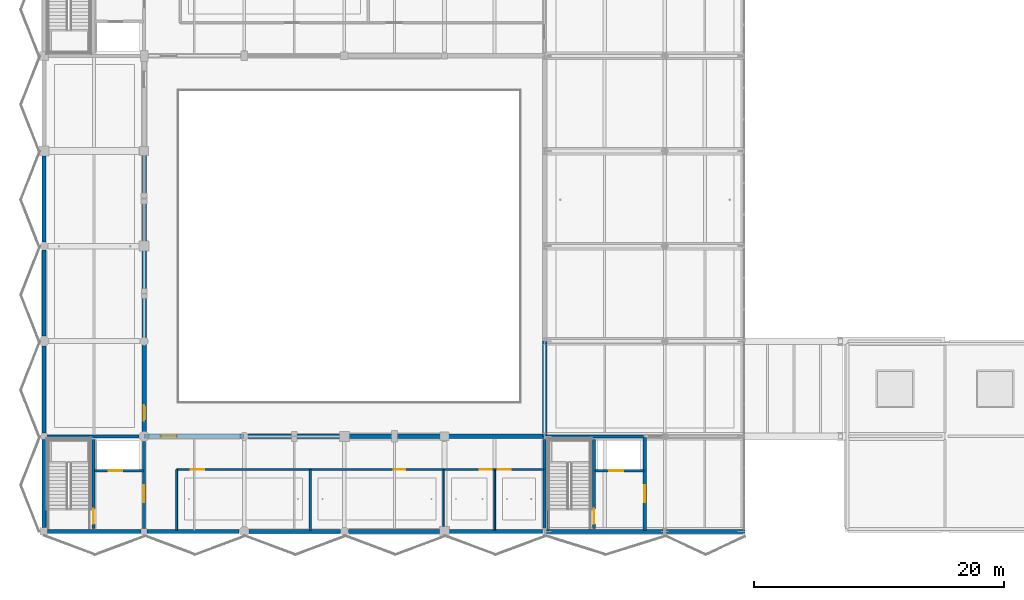
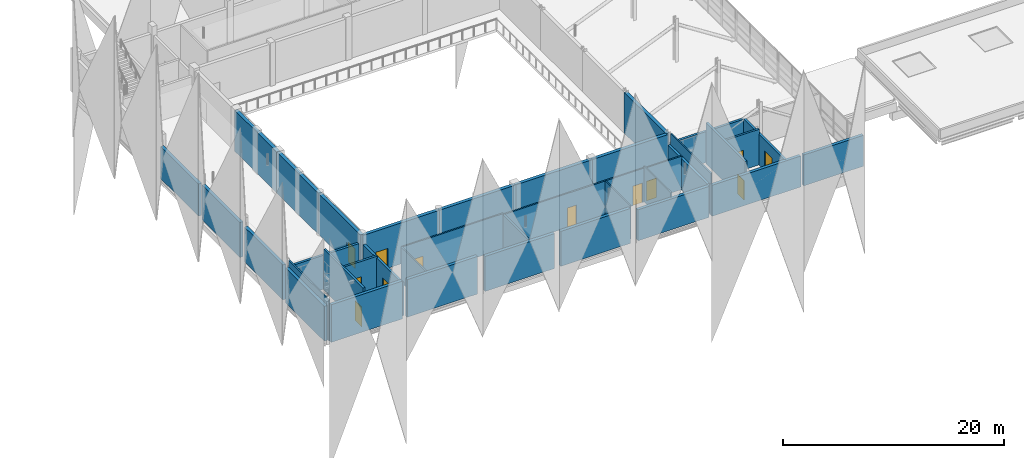
# One storey, part 69 of 107: 38 walls, 12 doors, 12 openings.
"""IFC4 building model written with IfcOpenShell, lengths in metres."""

from ifc_helpers import new_model, si_unit, direction, frame, frame_2d, origin, place, context, subcontext, project, spatial, rectangle, extrude, material, layer, layer_set, type_object, element, fill, save


model = new_model("IFC4")

# Units and contexts
model_context = context("Model", 3, precision=1e-05, world=origin(), true_north=direction((0.0, 1.0)))
body_context = subcontext(model_context, "Body", "Model", "MODEL_VIEW")
ifc_project = project(units=[si_unit("LENGTHUNIT", "METRE"), si_unit("AREAUNIT", "SQUARE_METRE"), si_unit("VOLUMEUNIT", "CUBIC_METRE"), si_unit("PLANEANGLEUNIT", "RADIAN"), si_unit("MASSUNIT", "GRAM", prefix="KILO")], contexts=[model_context])

# Site, building, storey
site_placement = place(None, origin())
site = spatial("IfcSite", under=ifc_project, at=site_placement, CompositionType="ELEMENT")
building_placement = place(site_placement, origin())
building = spatial("IfcBuilding", under=site, at=building_placement, Name="Khelvaren Railside Concert Hall", CompositionType="ELEMENT")
storey_placement = place(building_placement, frame((0.0, 0.0, 15.0)))
storey = spatial("IfcBuildingStorey", under=building, at=storey_placement, Name="L03", CompositionType="ELEMENT", Elevation=15.0)

# Walls
ifc_material_1 = material(Name="Concrete C40/50", Category="concrete")
ifc_layer_1 = layer(ifc_material_1, 0.139892578125)
ifc_layer_set_1 = layer_set([ifc_layer_1], Name="Concrete C40/50")
wall_type_1 = type_object("IfcWallType", Name="CW17", PredefinedType="SOLIDWALL", material=ifc_layer_set_1)
for number, where, z_axis, x_axis, name in (
    (1, (0.27490234375, 0.14990234375, 0.0), (0.0, 0.0, 1.0), (0.0, 1.0, 0.0), "Core Shaft Structural Liner Wall ST-01-L03"),
    (2, (40.27490234375, 0.14990234375, 0.0), (0.0, 0.0, 1.0), (0.0, 1.0, 0.0), "Core Shaft Structural Liner Wall ST-02-L03"),
):
    element("IfcWall", number, at=place(storey_placement, frame(where, z_axis=z_axis, x_axis=x_axis)), inside=storey, type_object=wall_type_1, Name=name, PredefinedType="SOLIDWALL", context=body_context, shape_type="SweptSolid", body=[
        extrude(rectangle(XDim=7.300048828125, YDim=0.139892578125, at=frame_2d((3.64990234375, 0.0))), origin(), (0.0, 0.0, 1.0), 4.530029296875),
    ])
ifc_layer_2 = layer(ifc_material_1, 0.25)
ifc_layer_set_2 = layer_set([ifc_layer_2], Name="Concrete C40/50")
wall_type_2 = type_object("IfcWallType", Name="CW82", PredefinedType="SOLIDWALL", material=ifc_layer_set_2)
wall_1_placement = place(storey_placement, frame((0.25, 7.60009765625, 0.0), z_axis=(0.0, 0.0, 1.0), x_axis=(1.0, 0.0, 0.0)))
element("IfcWall", 3, at=wall_1_placement, inside=storey, type_object=wall_type_2, Name="Core Enclosure Wall CWALL-ST-01-L03-N", PredefinedType="SOLIDWALL", context=body_context, shape_type="SweptSolid", body=[
    extrude(rectangle(XDim=7.35009765625, YDim=0.25, at=frame_2d((3.675048828125, 0.0))), origin(), (0.0, 0.0, 1.0), 3.7548828125),
])

# Wall, opening, door
wall_2_placement = place(storey_placement, frame((8.0, 0.25, 0.0), z_axis=(0.0, 0.0, 1.0), x_axis=(0.0, 1.0, 0.0)))
wall_2 = element("IfcWall", 4, at=wall_2_placement, inside=storey, type_object=wall_type_2, Name="Core Enclosure Wall CWALL-ST-01-L03-E", PredefinedType="SOLIDWALL", context=body_context, shape_type="SweptSolid", body=[
    extrude(rectangle(XDim=6.949951171875, YDim=0.25, at=frame_2d((3.47509765625, 0.0))), origin(), (0.0, 0.0, 1.0), 3.705078125),
])
opening_1_placement = place(wall_2_placement, frame((2.10009765625, 0.0, 0.0)))
opening_1 = element("IfcOpeningElement", 5, at=opening_1_placement, cuts=wall_2, Name="Opening FDR34", PredefinedType="OPENING", context=body_context, shape_type="SweptSolid", body=[
    extrude(rectangle(XDim=1.35009765625, YDim=2.199951171875, at=frame_2d((0.675048828125, 1.10009765625))), frame((0.0, 0.135009765625, 0.0), z_axis=(0.0, -1.0, 0.0), x_axis=(1.0, 0.0, 0.0)), (0.0, 0.0, 1.0), 0.27001953125),
])
ifc_material_2 = material(Name="Acoustic fire-rated timber-core steel frame door", Category="steel")
door_type_1 = type_object("IfcDoorType", Name="FDR34", OperationType="NOTDEFINED", PredefinedType="DOOR", material=ifc_material_2)
door_1_placement = place(opening_1_placement, origin())
door_1 = element("IfcDoor", 6, at=door_1_placement, inside=storey, type_object=door_type_1, Name="Interior Door DR-ST-01-L03-LOB", OperationType="SINGLE_SWING_LEFT", OverallHeight=2.199951171875, OverallWidth=1.35009765625, PredefinedType="DOOR", context=body_context, shape_type="SweptSolid", body=[
    extrude(rectangle(XDim=1.35009765625, YDim=2.199951171875, at=frame_2d((0.675048828125, 1.10009765625))), frame((0.0, 0.02490234375, 0.0), z_axis=(0.0, -1.0, 0.0), x_axis=(1.0, 0.0, 0.0)), (0.0, 0.0, 1.0), 0.050048828125),
])
fill(opening_1, door_1)

# Walls
wall_3_placement = place(storey_placement, frame((40.0, 0.25, 0.0), z_axis=(0.0, 0.0, 1.0), x_axis=(0.0, 1.0, 0.0)))
element("IfcWall", 7, at=wall_3_placement, inside=storey, type_object=wall_type_2, Name="Core Enclosure Wall CWALL-ST-02-L03-W", PredefinedType="SOLIDWALL", context=body_context, shape_type="SweptSolid", body=[
    extrude(rectangle(XDim=7.10009765625, YDim=0.25, at=frame_2d((3.550048828125, 0.0))), origin(), (0.0, 0.0, 1.0), 3.419921875),
])
wall_4_placement = place(storey_placement, frame((40.14990234375, 7.60009765625, 0.0), z_axis=(0.0, 0.0, 1.0), x_axis=(1.0, 0.0, 0.0)))
element("IfcWall", 8, at=wall_4_placement, inside=storey, type_object=wall_type_2, Name="Core Enclosure Wall CWALL-ST-02-L03-N", PredefinedType="SOLIDWALL", context=body_context, shape_type="SweptSolid", body=[
    extrude(rectangle(XDim=7.77001953125, YDim=0.25, at=frame_2d((3.885009765625, 0.0))), origin(), (0.0, 0.0, 1.0), 3.419921875),
])

# Wall, opening, door
wall_5_placement = place(storey_placement, frame((48.0, 0.080078125, 0.0), z_axis=(0.0, 0.0, 1.0), x_axis=(0.0, 1.0, 0.0)))
wall_5 = element("IfcWall", 9, at=wall_5_placement, inside=storey, type_object=wall_type_2, Name="Core Enclosure Wall CWALL-ST-02-L03-E", PredefinedType="SOLIDWALL", context=body_context, shape_type="SweptSolid", body=[
    extrude(rectangle(XDim=7.43994140625, YDim=0.25, at=frame_2d((3.719970703125, 0.0))), origin(), (0.0, 0.0, 1.0), 3.419921875),
])
opening_2_placement = place(wall_5_placement, frame((2.27001953125, 0.0, 0.0)))
opening_2 = element("IfcOpeningElement", 10, at=opening_2_placement, cuts=wall_5, Name="Opening FDR34", PredefinedType="OPENING", context=body_context, shape_type="SweptSolid", body=[
    extrude(rectangle(XDim=1.35009765625, YDim=2.199951171875, at=frame_2d((0.675048828125, 1.10009765625))), frame((0.0, 0.135009765625, 0.0), z_axis=(0.0, -1.0, 0.0), x_axis=(1.0, 0.0, 0.0)), (0.0, 0.0, 1.0), 0.27001953125),
])
door_2_placement = place(opening_2_placement, origin())
door_2 = element("IfcDoor", 11, at=door_2_placement, inside=storey, type_object=door_type_1, Name="Interior Door DR-ST-02-L03-LOB", OperationType="SINGLE_SWING_LEFT", OverallHeight=2.199951171875, OverallWidth=1.35009765625, PredefinedType="DOOR", context=body_context, shape_type="SweptSolid", body=[
    extrude(rectangle(XDim=1.35009765625, YDim=2.199951171875, at=frame_2d((0.675048828125, 1.10009765625))), frame((0.0, 0.02490234375, 0.0), z_axis=(0.0, -1.0, 0.0), x_axis=(1.0, 0.0, 0.0)), (0.0, 0.0, 1.0), 0.050048828125),
])
fill(opening_2, door_2)

ifc_layer_3 = layer(ifc_material_1, 0.219970703125)
ifc_layer_set_3 = layer_set([ifc_layer_3], Name="Concrete C40/50")
wall_type_3 = type_object("IfcWallType", Name="CW97", PredefinedType="SOLIDWALL", material=ifc_layer_set_3)
wall_6_placement = place(storey_placement, frame((3.949951171875, 0.25, 0.0), z_axis=(0.0, 0.0, 1.0), x_axis=(0.0, 1.0, 0.0)))
wall_6 = element("IfcWall", 12, at=wall_6_placement, inside=storey, type_object=wall_type_3, Name="Core Enclosure Wall CWALL-ST-01-L03-MID", PredefinedType="SOLIDWALL", context=body_context, shape_type="SweptSolid", body=[
    extrude(rectangle(XDim=7.10009765625, YDim=0.219970703125, at=frame_2d((3.550048828125, 0.0))), origin(), (0.0, 0.0, 1.0), 4.530029296875),
])
opening_3_placement = place(wall_6_placement, frame((0.35009765625, 0.0, 0.0)))
opening_3 = element("IfcOpeningElement", 13, at=opening_3_placement, cuts=wall_6, Name="Opening FDR17", PredefinedType="OPENING", context=body_context, shape_type="SweptSolid", body=[
    extrude(rectangle(XDim=1.199951171875, YDim=2.14990234375, at=frame_2d((0.60009765625, 1.074951171875))), frame((0.0, 0.119873046875, 0.0), z_axis=(0.0, -1.0, 0.0), x_axis=(1.0, 0.0, 0.0)), (0.0, 0.0, 1.0), 0.239990234375),
])
door_type_2 = type_object("IfcDoorType", Name="FDR17", OperationType="NOTDEFINED", PredefinedType="DOOR", material=ifc_material_2)
door_3_placement = place(opening_3_placement, origin())
door_3 = element("IfcDoor", 14, at=door_3_placement, inside=storey, type_object=door_type_2, Name="Interior Door DR-ST-01-L03-ST", OperationType="SINGLE_SWING_RIGHT", OverallHeight=2.14990234375, OverallWidth=1.199951171875, PredefinedType="DOOR", context=body_context, shape_type="SweptSolid", body=[
    extrude(rectangle(XDim=1.199951171875, YDim=2.14990234375, at=frame_2d((0.60009765625, 1.074951171875))), frame((0.0, 0.02490234375, 0.0), z_axis=(0.0, -1.0, 0.0), x_axis=(1.0, 0.0, 0.0)), (0.0, 0.0, 1.0), 0.050048828125),
])
fill(opening_3, door_3)

wall_7_placement = place(storey_placement, frame((4.02001953125, 4.85009765625, 0.0), z_axis=(0.0, 0.0, 1.0), x_axis=(1.0, 0.0, 0.0)))
wall_7 = element("IfcWall", 15, at=wall_7_placement, inside=storey, type_object=wall_type_3, Name="Core Enclosure Wall CWALL-ST-01-L03-SHF", PredefinedType="SOLIDWALL", context=body_context, shape_type="SweptSolid", body=[
    extrude(rectangle(XDim=3.929931640625, YDim=0.219970703125, at=frame_2d((1.96484375, 0.0))), origin(), (0.0, 0.0, 1.0), 3.905029296875),
])
opening_4_placement = place(wall_7_placement, frame((1.14990234375, 0.0, 0.0)))
opening_4 = element("IfcOpeningElement", 16, at=opening_4_placement, cuts=wall_7, Name="Opening LD-PL-06", PredefinedType="OPENING", context=body_context, shape_type="SweptSolid", body=[
    extrude(rectangle(XDim=1.10009765625, YDim=2.199951171875, at=frame_2d((0.550048828125, 1.10009765625))), frame((0.0, 0.119873046875, 0.0), z_axis=(0.0, -1.0, 0.0), x_axis=(1.0, 0.0, 0.0)), (0.0, 0.0, 1.0), 0.239990234375),
])
ifc_material_3 = material(Name="Fire-rated brushed stainless steel landing door", Category="steel")
door_type_3 = type_object("IfcDoorType", Name="LD96", OperationType="DOUBLE_DOOR_SLIDING", PredefinedType="DOOR", material=ifc_material_3)
door_4_placement = place(opening_4_placement, origin())
door_4 = element("IfcDoor", 17, at=door_4_placement, inside=storey, type_object=door_type_3, Name="Lift Landing Door LD-PL-06-L03", OperationType="DOUBLE_DOOR_SLIDING", OverallHeight=2.199951171875, OverallWidth=1.10009765625, PredefinedType="DOOR", context=body_context, shape_type="SweptSolid", body=[
    extrude(rectangle(XDim=1.10009765625, YDim=2.199951171875, at=frame_2d((0.550048828125, 1.10009765625))), frame((0.0, 0.02490234375, 0.0), z_axis=(0.0, -1.0, 0.0), x_axis=(1.0, 0.0, 0.0)), (0.0, 0.0, 1.0), 0.050048828125),
])
fill(opening_4, door_4)

wall_8_placement = place(storey_placement, frame((43.949951171875, 0.25, 0.0), z_axis=(0.0, 0.0, 1.0), x_axis=(0.0, 1.0, 0.0)))
wall_8 = element("IfcWall", 18, at=wall_8_placement, inside=storey, type_object=wall_type_3, Name="Core Enclosure Wall CWALL-ST-02-L03-MID", PredefinedType="SOLIDWALL", context=body_context, shape_type="SweptSolid", body=[
    extrude(rectangle(XDim=7.10009765625, YDim=0.219970703125, at=frame_2d((3.550048828125, 0.0))), origin(), (0.0, 0.0, 1.0), 4.530029296875),
])
opening_5_placement = place(wall_8_placement, frame((0.35009765625, 0.0, 0.0)))
opening_5 = element("IfcOpeningElement", 19, at=opening_5_placement, cuts=wall_8, Name="Opening FDR17", PredefinedType="OPENING", context=body_context, shape_type="SweptSolid", body=[
    extrude(rectangle(XDim=1.199951171875, YDim=2.14990234375, at=frame_2d((0.60009765625, 1.074951171875))), frame((0.0, 0.119873046875, 0.0), z_axis=(0.0, -1.0, 0.0), x_axis=(1.0, 0.0, 0.0)), (0.0, 0.0, 1.0), 0.239990234375),
])
door_5_placement = place(opening_5_placement, origin())
door_5 = element("IfcDoor", 20, at=door_5_placement, inside=storey, type_object=door_type_2, Name="Interior Door DR-ST-02-L03-ST", OperationType="SINGLE_SWING_RIGHT", OverallHeight=2.14990234375, OverallWidth=1.199951171875, PredefinedType="DOOR", context=body_context, shape_type="SweptSolid", body=[
    extrude(rectangle(XDim=1.199951171875, YDim=2.14990234375, at=frame_2d((0.60009765625, 1.074951171875))), frame((0.0, 0.02490234375, 0.0), z_axis=(0.0, -1.0, 0.0), x_axis=(1.0, 0.0, 0.0)), (0.0, 0.0, 1.0), 0.050048828125),
])
fill(opening_5, door_5)

wall_9_placement = place(storey_placement, frame((44.02001953125, 4.85009765625, 0.0), z_axis=(0.0, 0.0, 1.0), x_axis=(1.0, 0.0, 0.0)))
wall_9 = element("IfcWall", 21, at=wall_9_placement, inside=storey, type_object=wall_type_3, Name="Core Enclosure Wall CWALL-ST-02-L03-SHF", PredefinedType="SOLIDWALL", context=body_context, shape_type="SweptSolid", body=[
    extrude(rectangle(XDim=3.929931640625, YDim=0.219970703125, at=frame_2d((1.96484375, 0.0))), origin(), (0.0, 0.0, 1.0), 3.945068359375),
])
opening_6_placement = place(wall_9_placement, frame((1.14990234375, 0.0, 0.0)))
opening_6 = element("IfcOpeningElement", 22, at=opening_6_placement, cuts=wall_9, Name="Opening LD-PL-01", PredefinedType="OPENING", context=body_context, shape_type="SweptSolid", body=[
    extrude(rectangle(XDim=1.10009765625, YDim=2.199951171875, at=frame_2d((0.550048828125, 1.10009765625))), frame((0.0, 0.119873046875, 0.0), z_axis=(0.0, -1.0, 0.0), x_axis=(1.0, 0.0, 0.0)), (0.0, 0.0, 1.0), 0.239990234375),
])
door_6_placement = place(opening_6_placement, origin())
door_6 = element("IfcDoor", 23, at=door_6_placement, inside=storey, type_object=door_type_3, Name="Lift Landing Door LD-PL-01-L03", OperationType="DOUBLE_DOOR_SLIDING", OverallHeight=2.199951171875, OverallWidth=1.10009765625, PredefinedType="DOOR", context=body_context, shape_type="SweptSolid", body=[
    extrude(rectangle(XDim=1.10009765625, YDim=2.199951171875, at=frame_2d((0.550048828125, 1.10009765625))), frame((0.0, 0.02490234375, 0.0), z_axis=(0.0, -1.0, 0.0), x_axis=(1.0, 0.0, 0.0)), (0.0, 0.0, 1.0), 0.050048828125),
])
fill(opening_6, door_6)

# Walls
ifc_material_4 = material(Name="Board-marked architectural concrete C40/50", Category="concrete")
ifc_layer_4 = layer(ifc_material_4, 0.320068359375)
ifc_layer_set_4 = layer_set([ifc_layer_4], Name="Board-marked architectural concrete C40/50")
wall_type_4 = type_object("IfcWallType", Name="EW39", PredefinedType="SOLIDWALL", material=ifc_layer_set_4)
wall_10_placement = place(storey_placement, frame((7.75, 0.0, 0.0), z_axis=(0.0, 0.0, 1.0), x_axis=(-1.0, 0.0, 0.0)))
element("IfcWall", 24, at=wall_10_placement, inside=storey, type_object=wall_type_4, Name="V1 L03 Exterior Concrete Wall S-0", PredefinedType="SOLIDWALL", context=body_context, shape_type="SweptSolid", body=[
    extrude(rectangle(XDim=7.449951171875, YDim=0.320068359375, at=frame_2d((3.72509765625, 0.0))), origin(), (0.0, 0.0, 1.0), 4.169921875),
])
wall_11_placement = place(storey_placement, frame((15.60009765625, 0.0, 0.0), z_axis=(0.0, 0.0, 1.0), x_axis=(-1.0, 0.0, 0.0)))
element("IfcWall", 25, at=wall_11_placement, inside=storey, type_object=wall_type_4, Name="V1 L03 Exterior Concrete Wall S-8", PredefinedType="SOLIDWALL", context=body_context, shape_type="SweptSolid", body=[
    extrude(rectangle(XDim=7.35009765625, YDim=0.320068359375, at=frame_2d((3.675048828125, 0.0))), origin(), (0.0, 0.0, 1.0), 4.159912109375),
])
for number, where, z_axis, x_axis, name in (
    (26, (23.675048828125, 0.0, 0.0), (0.0, 0.0, 1.0), (-1.0, 0.0, 0.0), "V1 L03 Exterior Concrete Wall S-16"),
    (27, (31.60009765625, 0.0, 0.0), (0.0, 0.0, 1.0), (-1.0, 0.0, 0.0), "V1 L03 Exterior Concrete Wall S-24"),
):
    element("IfcWall", number, at=place(storey_placement, frame(where, z_axis=z_axis, x_axis=x_axis)), inside=storey, type_object=wall_type_4, Name=name, PredefinedType="SOLIDWALL", context=body_context, shape_type="SweptSolid", body=[
        extrude(rectangle(XDim=7.275146484375, YDim=0.320068359375, at=frame_2d((3.6376953125, 0.0))), origin(), (0.0, 0.0, 1.0), 3.8701171875),
    ])
wall_12_placement = place(storey_placement, frame((39.85009765625, 0.0, 0.0), z_axis=(0.0, 0.0, 1.0), x_axis=(-1.0, 0.0, 0.0)))
element("IfcWall", 28, at=wall_12_placement, inside=storey, type_object=wall_type_4, Name="V1 L03 Exterior Concrete Wall S-32", PredefinedType="SOLIDWALL", context=body_context, shape_type="SweptSolid", body=[
    extrude(rectangle(XDim=7.4501953125, YDim=0.320068359375, at=frame_2d((3.72509765625, 0.0))), origin(), (0.0, 0.0, 1.0), 3.419921875),
])
wall_13_placement = place(storey_placement, frame((49.449951171875, 0.0, 0.0), z_axis=(0.0, 0.0, 1.0), x_axis=(-1.0, 0.0, 0.0)))
element("IfcWall", 29, at=wall_13_placement, inside=storey, type_object=wall_type_4, Name="V1 L03 Exterior Concrete Wall S-40", PredefinedType="SOLIDWALL", context=body_context, shape_type="SweptSolid", body=[
    extrude(rectangle(XDim=9.300048828125, YDim=0.320068359375, at=frame_2d((4.64990234375, 0.0))), origin(), (0.0, 0.0, 1.0), 3.419921875),
])
wall_14_placement = place(storey_placement, frame((56.0, 0.0, 0.0), z_axis=(0.0, 0.0, 1.0), x_axis=(-1.0, 0.0, 0.0)))
element("IfcWall", 30, at=wall_14_placement, inside=storey, type_object=wall_type_4, Name="V1 L03 Exterior Concrete Wall S-50", PredefinedType="SOLIDWALL", context=body_context, shape_type="SweptSolid", body=[
    extrude(rectangle(XDim=6.25, YDim=0.320068359375, at=frame_2d((3.125, 0.0))), origin(), (0.0, 0.0, 1.0), 3.419921875),
])
wall_15_placement = place(storey_placement, frame((0.0, 0.300048828125, 0.0), z_axis=(0.0, 0.0, 1.0), x_axis=(0.0, 1.0, 0.0)))
element("IfcWall", 31, at=wall_15_placement, inside=storey, type_object=wall_type_4, Name="V1 L03 Exterior Concrete Wall W-0", PredefinedType="SOLIDWALL", context=body_context, shape_type="SweptSolid", body=[
    extrude(rectangle(XDim=7.050048828125, YDim=0.320068359375, at=frame_2d((3.52490234375, 0.0))), origin(), (0.0, 0.0, 1.0), 3.8701171875),
])
wall_16_placement = place(storey_placement, frame((0.0, 7.85009765625, 0.0), z_axis=(0.0, 0.0, 1.0), x_axis=(0.0, 1.0, 0.0)))
element("IfcWall", 32, at=wall_16_placement, inside=storey, type_object=wall_type_4, Name="V1 L03 Exterior Concrete Wall W-8", PredefinedType="SOLIDWALL", context=body_context, shape_type="SweptSolid", body=[
    extrude(rectangle(XDim=6.949951171875, YDim=0.320068359375, at=frame_2d((3.47509765625, 0.0))), origin(), (0.0, 0.0, 1.0), 3.8701171875),
])
wall_17_placement = place(storey_placement, frame((0.0, 15.60009765625, 0.0), z_axis=(0.0, 0.0, 1.0), x_axis=(0.0, 1.0, 0.0)))
element("IfcWall", 33, at=wall_17_placement, inside=storey, type_object=wall_type_4, Name="V1 L03 Exterior Concrete Wall W-15", PredefinedType="SOLIDWALL", context=body_context, shape_type="SweptSolid", body=[
    extrude(rectangle(XDim=6.875, YDim=0.320068359375, at=frame_2d((3.4375, 0.0))), origin(), (0.0, 0.0, 1.0), 3.8701171875),
])
wall_18_placement = place(storey_placement, frame((0.0, 23.125, 0.0), z_axis=(0.0, 0.0, 1.0), x_axis=(0.0, 1.0, 0.0)))
element("IfcWall", 34, at=wall_18_placement, inside=storey, type_object=wall_type_4, Name="V1 L03 Exterior Concrete Wall W-23", PredefinedType="SOLIDWALL", context=body_context, shape_type="SweptSolid", body=[
    extrude(rectangle(XDim=6.875, YDim=0.320068359375, at=frame_2d((3.4375, 0.0))), origin(), (0.0, 0.0, 1.0), 3.570068359375),
])
ifc_material_5 = material(Name="Acoustic double-stud gypsum partition", Category="gypsum")
ifc_layer_5 = layer(ifc_material_5, 0.139892578125)
ifc_layer_set_5 = layer_set([ifc_layer_5], Name="Acoustic double-stud gypsum partition")
wall_type_5 = type_object("IfcWallType", Name="PT41", PredefinedType="PARTITIONING", material=ifc_layer_set_5)
wall_19_placement = place(storey_placement, frame((36.02294921875, 0.080078125, 0.0), z_axis=(0.0, 0.0, 1.0), x_axis=(0.0, 1.0, 0.0)))
element("IfcWall", 35, at=wall_19_placement, inside=storey, type_object=wall_type_5, Name="Acoustic Partition Wall PW-V1-L03-S3-D03", PredefinedType="PARTITIONING", context=body_context, shape_type="SweptSolid", body=[
    extrude(rectangle(XDim=4.869873046875, YDim=0.139892578125, at=frame_2d((2.43505859375, 0.0))), origin(), (0.0, 0.0, 1.0), 3.925048828125),
])

# Wall, opening, door
ifc_layer_6 = layer(ifc_material_5, 0.14990234375)
ifc_layer_set_6 = layer_set([ifc_layer_6], Name="Acoustic double-stud gypsum partition")
wall_type_6 = type_object("IfcWallType", Name="PT72", PredefinedType="PARTITIONING", material=ifc_layer_set_6)
wall_20_placement = place(storey_placement, frame((10.60009765625, 4.949951171875, 0.0), z_axis=(0.0, 0.0, 1.0), x_axis=(1.0, 0.0, 0.0)))
wall_20 = element("IfcWall", 36, at=wall_20_placement, inside=storey, type_object=wall_type_6, Name="Acoustic Partition Wall PW-V1-L03-S3-C01", PredefinedType="PARTITIONING", context=body_context, shape_type="SweptSolid", body=[
    extrude(rectangle(XDim=10.669921875, YDim=0.14990234375, at=frame_2d((5.3349609375, 0.0))), origin(), (0.0, 0.0, 1.0), 3.885009765625),
])
opening_7_placement = place(wall_20_placement, frame((1.14306640625, 0.0, 0.0)))
opening_7 = element("IfcOpeningElement", 37, at=opening_7_placement, cuts=wall_20, Name="Opening IDR70", PredefinedType="OPENING", context=body_context, shape_type="SweptSolid", body=[
    extrude(rectangle(XDim=1.080078125, YDim=2.10009765625, at=frame_2d((0.5400390625, 1.050048828125))), frame((0.0, 0.0849609375, 0.0), z_axis=(0.0, -1.0, 0.0), x_axis=(1.0, 0.0, 0.0)), (0.0, 0.0, 1.0), 0.169921875),
])
ifc_material_6 = material(Name="Solid oak acoustic studio door", Category="wood")
door_type_4 = type_object("IfcDoorType", Name="IDR70", OperationType="NOTDEFINED", PredefinedType="DOOR", material=ifc_material_6)
door_7_placement = place(opening_7_placement, origin())
door_7 = element("IfcDoor", 38, at=door_7_placement, inside=storey, type_object=door_type_4, Name="Interior Door DR-V1-L03-S3-01", OperationType="SINGLE_SWING_RIGHT", OverallHeight=2.10009765625, OverallWidth=1.080078125, PredefinedType="DOOR", context=body_context, shape_type="SweptSolid", body=[
    extrude(rectangle(XDim=1.080078125, YDim=2.10009765625, at=frame_2d((0.5400390625, 1.050048828125))), frame((0.0, 0.02490234375, 0.0), z_axis=(0.0, -1.0, 0.0), x_axis=(1.0, 0.0, 0.0)), (0.0, 0.0, 1.0), 0.050048828125),
])
fill(opening_7, door_7)

wall_21_placement = place(storey_placement, frame((21.27001953125, 4.949951171875, 0.0), z_axis=(0.0, 0.0, 1.0), x_axis=(1.0, 0.0, 0.0)))
wall_21 = element("IfcWall", 39, at=wall_21_placement, inside=storey, type_object=wall_type_6, Name="Acoustic Partition Wall PW-V1-L03-S3-C02", PredefinedType="PARTITIONING", context=body_context, shape_type="SweptSolid", body=[
    extrude(rectangle(XDim=10.669921875, YDim=0.14990234375, at=frame_2d((5.3349609375, 0.0))), origin(), (0.0, 0.0, 1.0), 3.7548828125),
])
opening_8_placement = place(wall_21_placement, frame((6.680908203125, 0.0, 0.0)))
opening_8 = element("IfcOpeningElement", 40, at=opening_8_placement, cuts=wall_21, Name="Opening IDR15", PredefinedType="OPENING", context=body_context, shape_type="SweptSolid", body=[
    extrude(rectangle(XDim=0.919921875, YDim=2.14990234375, at=frame_2d((0.4599609375, 1.074951171875))), frame((0.0, 0.0849609375, 0.0), z_axis=(0.0, -1.0, 0.0), x_axis=(1.0, 0.0, 0.0)), (0.0, 0.0, 1.0), 0.169921875),
])
door_type_5 = type_object("IfcDoorType", Name="IDR15", OperationType="NOTDEFINED", PredefinedType="DOOR", material=ifc_material_6)
door_8_placement = place(opening_8_placement, origin())
door_8 = element("IfcDoor", 41, at=door_8_placement, inside=storey, type_object=door_type_5, Name="Interior Door DR-V1-L03-S3-02", OperationType="SINGLE_SWING_LEFT", OverallHeight=2.14990234375, OverallWidth=0.919921875, PredefinedType="DOOR", context=body_context, shape_type="SweptSolid", body=[
    extrude(rectangle(XDim=0.919921875, YDim=2.14990234375, at=frame_2d((0.4599609375, 1.074951171875))), frame((0.0, 0.02490234375, 0.0), z_axis=(0.0, -1.0, 0.0), x_axis=(1.0, 0.0, 0.0)), (0.0, 0.0, 1.0), 0.050048828125),
])
fill(opening_8, door_8)

wall_22_placement = place(storey_placement, frame((31.93994140625, 4.949951171875, 0.0), z_axis=(0.0, 0.0, 1.0), x_axis=(1.0, 0.0, 0.0)))
wall_22 = element("IfcWall", 42, at=wall_22_placement, inside=storey, type_object=wall_type_6, Name="Acoustic Partition Wall PW-V1-L03-S3-C03", PredefinedType="PARTITIONING", context=body_context, shape_type="SweptSolid", body=[
    extrude(rectangle(XDim=4.0830078125, YDim=0.14990234375, at=frame_2d((2.04150390625, 0.0))), origin(), (0.0, 0.0, 1.0), 3.7548828125),
])
opening_9_placement = place(wall_22_placement, frame((2.863037109375, 0.0, 0.0)))
opening_9 = element("IfcOpeningElement", 43, at=opening_9_placement, cuts=wall_22, Name="Opening IDR67", PredefinedType="OPENING", context=body_context, shape_type="SweptSolid", body=[
    extrude(rectangle(XDim=0.97998046875, YDim=2.14990234375, at=frame_2d((0.489990234375, 1.074951171875))), frame((0.0, 0.0849609375, 0.0), z_axis=(0.0, -1.0, 0.0), x_axis=(1.0, 0.0, 0.0)), (0.0, 0.0, 1.0), 0.169921875),
])
door_type_6 = type_object("IfcDoorType", Name="IDR67", OperationType="NOTDEFINED", PredefinedType="DOOR", material=ifc_material_6)
door_9_placement = place(opening_9_placement, origin())
door_9 = element("IfcDoor", 44, at=door_9_placement, inside=storey, type_object=door_type_6, Name="Interior Door DR-V1-L03-S3-03", OperationType="SINGLE_SWING_RIGHT", OverallHeight=2.14990234375, OverallWidth=0.97998046875, PredefinedType="DOOR", context=body_context, shape_type="SweptSolid", body=[
    extrude(rectangle(XDim=0.97998046875, YDim=2.14990234375, at=frame_2d((0.489990234375, 1.074951171875))), frame((0.0, 0.02490234375, 0.0), z_axis=(0.0, -1.0, 0.0), x_axis=(1.0, 0.0, 0.0)), (0.0, 0.0, 1.0), 0.050048828125),
])
fill(opening_9, door_9)

wall_23_placement = place(storey_placement, frame((36.02294921875, 4.949951171875, 0.0), z_axis=(0.0, 0.0, 1.0), x_axis=(1.0, 0.0, 0.0)))
wall_23 = element("IfcWall", 45, at=wall_23_placement, inside=storey, type_object=wall_type_6, Name="Acoustic Partition Wall PW-V1-L03-S3-C04", PredefinedType="PARTITIONING", context=body_context, shape_type="SweptSolid", body=[
    extrude(rectangle(XDim=3.89697265625, YDim=0.14990234375, at=frame_2d((1.948486328125, 0.0))), origin(), (0.0, 0.0, 1.0), 3.705078125),
])
opening_10_placement = place(wall_23_placement, frame((0.219970703125, 0.0, 0.0)))
opening_10 = element("IfcOpeningElement", 46, at=opening_10_placement, cuts=wall_23, Name="Opening IDR24", PredefinedType="OPENING", context=body_context, shape_type="SweptSolid", body=[
    extrude(rectangle(XDim=1.0400390625, YDim=2.14990234375, at=frame_2d((0.52001953125, 1.074951171875))), frame((0.0, 0.0849609375, 0.0), z_axis=(0.0, -1.0, 0.0), x_axis=(1.0, 0.0, 0.0)), (0.0, 0.0, 1.0), 0.169921875),
])
door_type_7 = type_object("IfcDoorType", Name="IDR24", OperationType="NOTDEFINED", PredefinedType="DOOR", material=ifc_material_6)
door_10_placement = place(opening_10_placement, origin())
door_10 = element("IfcDoor", 47, at=door_10_placement, inside=storey, type_object=door_type_7, Name="Interior Door DR-V1-L03-S3-04", OperationType="SINGLE_SWING_LEFT", OverallHeight=2.14990234375, OverallWidth=1.0400390625, PredefinedType="DOOR", context=body_context, shape_type="SweptSolid", body=[
    extrude(rectangle(XDim=1.0400390625, YDim=2.14990234375, at=frame_2d((0.52001953125, 1.074951171875))), frame((0.0, 0.02490234375, 0.0), z_axis=(0.0, -1.0, 0.0), x_axis=(1.0, 0.0, 0.0)), (0.0, 0.0, 1.0), 0.050048828125),
])
fill(opening_10, door_10)

# Walls
wall_24_placement = place(storey_placement, frame((10.60009765625, 0.080078125, 0.0), z_axis=(0.0, 0.0, 1.0), x_axis=(0.0, 1.0, 0.0)))
element("IfcWall", 48, at=wall_24_placement, inside=storey, type_object=wall_type_6, Name="Acoustic Partition Wall PW-V1-L03-S3-W0", PredefinedType="PARTITIONING", context=body_context, shape_type="SweptSolid", body=[
    extrude(rectangle(XDim=4.869873046875, YDim=0.14990234375, at=frame_2d((2.43505859375, 0.0))), origin(), (0.0, 0.0, 1.0), 3.89990234375),
])
ifc_layer_7 = layer(ifc_material_5, 0.1201171875)
ifc_layer_set_7 = layer_set([ifc_layer_7], Name="Acoustic double-stud gypsum partition")
wall_type_7 = type_object("IfcWallType", Name="PT74", PredefinedType="PARTITIONING", material=ifc_layer_set_7)
wall_25_placement = place(storey_placement, frame((31.93994140625, 0.39990234375, 0.0), z_axis=(0.0, 0.0, 1.0), x_axis=(0.0, 1.0, 0.0)))
element("IfcWall", 49, at=wall_25_placement, inside=storey, type_object=wall_type_7, Name="Acoustic Partition Wall PW-V1-L03-S3-D02", PredefinedType="PARTITIONING", context=body_context, shape_type="SweptSolid", body=[
    extrude(rectangle(XDim=4.550048828125, YDim=0.1201171875, at=frame_2d((2.27490234375, 0.0))), origin(), (0.0, 0.0, 1.0), 3.7548828125),
])
ifc_layer_8 = layer(ifc_material_5, 0.199951171875)
ifc_layer_set_8 = layer_set([ifc_layer_8], Name="Acoustic double-stud gypsum partition")
wall_type_8 = type_object("IfcWallType", Name="PT75", PredefinedType="PARTITIONING", material=ifc_layer_set_8)
wall_26_placement = place(storey_placement, frame((21.27001953125, 0.080078125, 0.0), z_axis=(0.0, 0.0, 1.0), x_axis=(0.0, 1.0, 0.0)))
element("IfcWall", 50, at=wall_26_placement, inside=storey, type_object=wall_type_8, Name="Acoustic Partition Wall PW-V1-L03-S3-D01", PredefinedType="PARTITIONING", context=body_context, shape_type="SweptSolid", body=[
    extrude(rectangle(XDim=4.869873046875, YDim=0.199951171875, at=frame_2d((2.43505859375, 0.0))), origin(), (0.0, 0.0, 1.0), 3.780029296875),
])

# Wall, opening, door
ifc_layer_9 = layer(ifc_material_1, 0.35009765625)
ifc_layer_set_9 = layer_set([ifc_layer_9], Name="Concrete C40/50")
wall_type_9 = type_object("IfcWallType", Name="SW91", PredefinedType="SHEAR", material=ifc_layer_set_9)
wall_27_placement = place(storey_placement, frame((8.0, 7.60009765625, 0.0), z_axis=(0.0, 0.0, 1.0), x_axis=(1.0, 0.0, 0.0)))
wall_27 = element("IfcWall", 51, at=wall_27_placement, inside=storey, type_object=wall_type_9, Name="V1 Acoustic Box Shear Wall L03 S1", PredefinedType="SHEAR", context=body_context, shape_type="SweptSolid", body=[
    extrude(rectangle(XDim=8.0, YDim=0.35009765625, at=frame_2d((4.0, 0.0))), origin(), (0.0, 0.0, 1.0), 4.530029296875),
])
opening_11_placement = place(wall_27_placement, frame((1.35009765625, 0.0, 0.0)))
opening_11 = element("IfcOpeningElement", 52, at=opening_11_placement, cuts=wall_27, Name="Opening ADR42", PredefinedType="OPENING", context=body_context, shape_type="SweptSolid", body=[
    extrude(rectangle(XDim=1.25, YDim=2.199951171875, at=frame_2d((0.625, 1.10009765625))), frame((0.0, 0.18505859375, 0.0), z_axis=(0.0, -1.0, 0.0), x_axis=(1.0, 0.0, 0.0)), (0.0, 0.0, 1.0), 0.3701171875),
])
ifc_material_7 = material(Name="Heavy acoustic double sound-lock fire door", Category="wood")
door_type_8 = type_object("IfcDoorType", Name="ADR42", OperationType="DOUBLE_DOOR_SINGLE_SWING", PredefinedType="DOOR", material=ifc_material_7)
door_11_placement = place(opening_11_placement, origin())
door_11 = element("IfcDoor", 53, at=door_11_placement, inside=storey, type_object=door_type_8, Name="Main Concert Hall Acoustic Sound-Lock Door L03-S1", OperationType="DOUBLE_DOOR_SINGLE_SWING", OverallHeight=2.199951171875, OverallWidth=1.25, PredefinedType="DOOR", context=body_context, shape_type="SweptSolid", body=[
    extrude(rectangle(XDim=1.25, YDim=2.199951171875, at=frame_2d((0.625, 1.10009765625))), frame((0.0, 0.02490234375, 0.0), z_axis=(0.0, -1.0, 0.0), x_axis=(1.0, 0.0, 0.0)), (0.0, 0.0, 1.0), 0.050048828125),
])
fill(opening_11, door_11)

# Walls
for number, where, z_axis, x_axis, name in (
    (54, (16.0, 7.60009765625, 0.0), (0.0, 0.0, 1.0), (1.0, 0.0, 0.0), "V1 Acoustic Box Shear Wall L03 S2"),
    (55, (24.0, 7.60009765625, 0.0), (0.0, 0.0, 1.0), (1.0, 0.0, 0.0), "V1 Acoustic Box Shear Wall L03 S3"),
    (56, (32.0, 7.60009765625, 0.0), (0.0, 0.0, 1.0), (1.0, 0.0, 0.0), "V1 Acoustic Box Shear Wall L03 S4"),
):
    element("IfcWall", number, at=place(storey_placement, frame(where, z_axis=z_axis, x_axis=x_axis)), inside=storey, type_object=wall_type_9, Name=name, PredefinedType="SHEAR", context=body_context, shape_type="SweptSolid", body=[
        extrude(rectangle(XDim=8.0, YDim=0.35009765625, at=frame_2d((4.0, 0.0))), origin(), (0.0, 0.0, 1.0), 4.530029296875),
    ])

# Wall, opening, door
wall_28_placement = place(storey_placement, frame((8.0, 7.60009765625, 0.0), z_axis=(0.0, 0.0, 1.0), x_axis=(0.0, 1.0, 0.0)))
wall_28 = element("IfcWall", 57, at=wall_28_placement, inside=storey, type_object=wall_type_9, Name="V1 Acoustic Box Shear Wall L03 W1", PredefinedType="SHEAR", context=body_context, shape_type="SweptSolid", body=[
    extrude(rectangle(XDim=7.599853515625, YDim=0.35009765625, at=frame_2d((3.7998046875, 0.0))), origin(), (0.0, 0.0, 1.0), 4.530029296875),
])
opening_12_placement = place(wall_28_placement, frame((1.25, 0.0, 0.0)))
opening_12 = element("IfcOpeningElement", 58, at=opening_12_placement, cuts=wall_28, Name="Opening ADR42", PredefinedType="OPENING", context=body_context, shape_type="SweptSolid", body=[
    extrude(rectangle(XDim=1.25, YDim=2.199951171875, at=frame_2d((0.625, 1.10009765625))), frame((0.0, 0.18505859375, 0.0), z_axis=(0.0, -1.0, 0.0), x_axis=(1.0, 0.0, 0.0)), (0.0, 0.0, 1.0), 0.3701171875),
])
door_12_placement = place(opening_12_placement, origin())
door_12 = element("IfcDoor", 59, at=door_12_placement, inside=storey, type_object=door_type_8, Name="Main Concert Hall Acoustic Sound-Lock Door L03-W1", OperationType="DOUBLE_DOOR_SINGLE_SWING", OverallHeight=2.199951171875, OverallWidth=1.25, PredefinedType="DOOR", context=body_context, shape_type="SweptSolid", body=[
    extrude(rectangle(XDim=1.25, YDim=2.199951171875, at=frame_2d((0.625, 1.10009765625))), frame((0.0, 0.02490234375, 0.0), z_axis=(0.0, -1.0, 0.0), x_axis=(1.0, 0.0, 0.0)), (0.0, 0.0, 1.0), 0.050048828125),
])
fill(opening_12, door_12)

# Walls
wall_29_placement = place(storey_placement, frame((8.0, 15.199951171875, 0.0), z_axis=(0.0, 0.0, 1.0), x_axis=(0.0, 1.0, 0.0)))
element("IfcWall", 60, at=wall_29_placement, inside=storey, type_object=wall_type_9, Name="V1 Acoustic Box Shear Wall L03 W2", PredefinedType="SHEAR", context=body_context, shape_type="SweptSolid", body=[
    extrude(rectangle(XDim=7.60009765625, YDim=0.35009765625, at=frame_2d((3.800048828125, 0.0))), origin(), (0.0, 0.0, 1.0), 4.530029296875),
])
for number, where, z_axis, x_axis, name in (
    (61, (8.0, 22.800048828125, 0.0), (0.0, 0.0, 1.0), (0.0, 1.0, 0.0), "V1 Acoustic Box Shear Wall L03 W3"),
    (62, (40.0, 7.60009765625, 0.0), (0.0, 0.0, 1.0), (0.0, 1.0, 0.0), "V1 Acoustic Box Shear Wall L03 E1"),
):
    element("IfcWall", number, at=place(storey_placement, frame(where, z_axis=z_axis, x_axis=x_axis)), inside=storey, type_object=wall_type_9, Name=name, PredefinedType="SHEAR", context=body_context, shape_type="SweptSolid", body=[
        extrude(rectangle(XDim=7.599853515625, YDim=0.35009765625, at=frame_2d((3.7998046875, 0.0))), origin(), (0.0, 0.0, 1.0), 4.530029296875),
    ])

save(model, "model.ifc")
